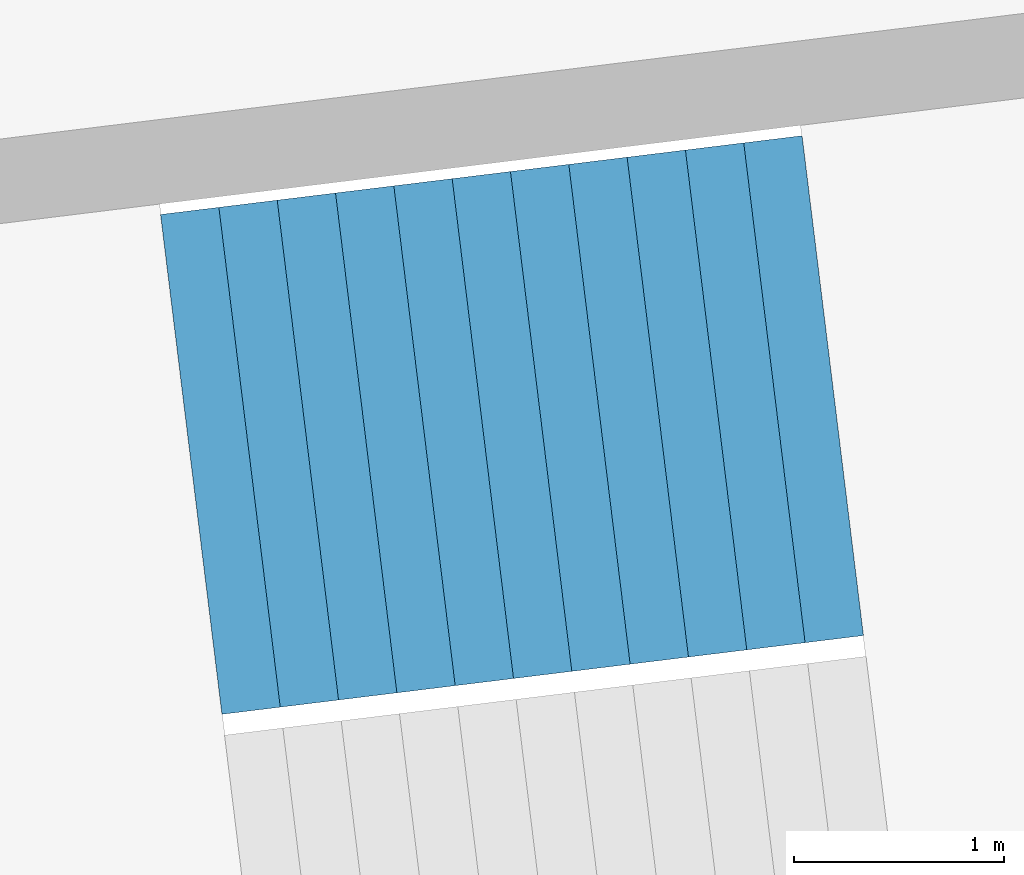
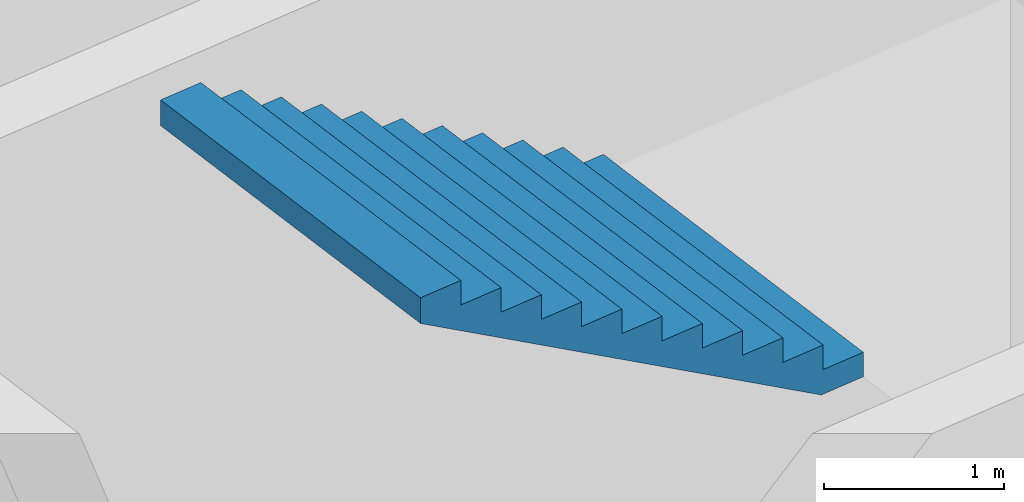
# One storey, part 61 of 74: 1 stair flight, 1 element without a shape of its own.
"""IFC4 building model written with IfcOpenShell, lengths in metres."""

from ifc_helpers import new_model, si_unit, direction, frame, origin, place, context, subcontext, project, spatial, triangles, material, type_object, element, aggregate, save


model = new_model("IFC4")

# Units and contexts
model_context = context("Model", 3, precision=1e-05, world=origin(), true_north=direction((0.0, 1.0)))
body_context = subcontext(model_context, "Body", "Model", "MODEL_VIEW")
ifc_project = project(units=[si_unit("LENGTHUNIT", "METRE"), si_unit("AREAUNIT", "SQUARE_METRE"), si_unit("VOLUMEUNIT", "CUBIC_METRE"), si_unit("PLANEANGLEUNIT", "RADIAN"), si_unit("MASSUNIT", "GRAM", prefix="KILO")], contexts=[model_context])

# Site, building, storey
site_placement = place(None, origin())
site = spatial("IfcSite", under=ifc_project, at=site_placement, CompositionType="ELEMENT")
building_placement = place(site_placement, origin())
building = spatial("IfcBuilding", under=site, at=building_placement, Name="Lantaw Convention Tower", CompositionType="ELEMENT")
storey_placement = place(building_placement, frame((0.0, 0.0, 6.5)))
storey = spatial("IfcBuildingStorey", under=building, at=storey_placement, Name="L01", CompositionType="ELEMENT", Elevation=6.5)

# Stair, stair flight
ifc_material = material(Name="Concrete C35/45", Category="concrete")
stair_type = type_object("IfcStairType", Name="Exit stair 2400 riser 166.67 in 4 flights", PredefinedType="HALF_TURN_STAIR", material=ifc_material)
stair_placement = place(storey_placement, origin())
stair = element("IfcStair", 1, at=stair_placement, inside=storey, type_object=stair_type, Name="Podium exit stair P1 L01", PredefinedType="HALF_TURN_STAIR")
stair_flight_type = type_object("IfcStairFlightType", Name="Stair flight 2400 riser 166.67", PredefinedType="STRAIGHT", material=ifc_material)
stair_flight_placement = place(storey_placement, frame((41.028564453125, 6.297119140625, 6.0), z_axis=(0.0, 0.0, 1.0), x_axis=(-0.992546151641, -0.121869343405, 0.0)))
stair_flight = element("IfcStairFlight", 2, at=stair_flight_placement, type_object=stair_flight_type, Name="P1 flight 4", NumberOfRisers=12, NumberOfTreads=11, PredefinedType="STRAIGHT", RiserHeight=0.166666667, TreadLength=0.28, context=body_context, shape_type="Tessellation", body=[
    triangles([(0.0, 1.199951171875, 0.0), (0.0, 1.199951171875, 0.166666667), (0.28, 1.199951171875, 0.0), (0.28, 1.199951171875, 0.166666667), (0.28, 1.199951171875, 0.333333334), (0.29307345806906726, 1.199951171875, 0.0), (0.29307345806906726, 1.199951171875, 0.333333334), (0.56, 1.199951171875, 0.15888484670522965), (0.56, 1.199951171875, 0.333333334), (0.56, 1.199951171875, 0.500000001), (0.8400000000000001, 1.199951171875, 0.3255515137052296), (0.8400000000000001, 1.199951171875, 0.500000001), (0.8400000000000001, 1.199951171875, 0.666666668), (1.12, 1.199951171875, 0.4922181807052296), (1.12, 1.199951171875, 0.666666668), (1.12, 1.199951171875, 0.833333335), (1.4000000000000001, 1.199951171875, 0.6588848477052296), (1.4000000000000001, 1.199951171875, 0.833333335), (1.4000000000000001, 1.199951171875, 1.000000002), (1.6800000000000002, 1.199951171875, 0.8255515147052296), (1.6800000000000002, 1.199951171875, 1.000000002), (1.6800000000000002, 1.199951171875, 1.166666669), (1.9600000000000002, 1.199951171875, 0.9922181817052296), (1.9600000000000002, 1.199951171875, 1.166666669), (1.9600000000000002, 1.199951171875, 1.333333336), (2.24, 1.199951171875, 1.1588848487052295), (2.24, 1.199951171875, 1.333333336), (2.24, 1.199951171875, 1.5000000029999998), (2.5200000000000005, 1.199951171875, 1.3255515157052296), (2.5200000000000005, 1.199951171875, 1.5000000029999998), (2.5200000000000005, 1.199951171875, 1.66666667), (2.8000000000000003, 1.199951171875, 1.4922181827052294), (2.8000000000000003, 1.199951171875, 1.66666667), (2.8000000000000003, 1.199951171875, 1.833333337), (3.08, 1.199951171875, 1.6588848497052293), (3.08, 1.199951171875, 1.833333337), (0.0, -1.199951171875, 0.0), (0.0, -1.199951171875, 0.166666667), (0.28, -1.199951171875, 0.0), (0.28, -1.199951171875, 0.166666667), (0.28, -1.199951171875, 0.333333334), (0.29307345806906726, -1.199951171875, 0.0), (0.29307345806906726, -1.199951171875, 0.333333334), (0.56, -1.199951171875, 0.15888484670522965), (0.56, -1.199951171875, 0.333333334), (0.56, -1.199951171875, 0.500000001), (0.8400000000000001, -1.199951171875, 0.3255515137052296), (0.8400000000000001, -1.199951171875, 0.500000001), (0.8400000000000001, -1.199951171875, 0.666666668), (1.12, -1.199951171875, 0.4922181807052296), (1.12, -1.199951171875, 0.666666668), (1.12, -1.199951171875, 0.833333335), (1.4000000000000001, -1.199951171875, 0.6588848477052296), (1.4000000000000001, -1.199951171875, 0.833333335), (1.4000000000000001, -1.199951171875, 1.000000002), (1.6800000000000002, -1.199951171875, 0.8255515147052296), (1.6800000000000002, -1.199951171875, 1.000000002), (1.6800000000000002, -1.199951171875, 1.166666669), (1.9600000000000002, -1.199951171875, 0.9922181817052296), (1.9600000000000002, -1.199951171875, 1.166666669), (1.9600000000000002, -1.199951171875, 1.333333336), (2.24, -1.199951171875, 1.1588848487052295), (2.24, -1.199951171875, 1.333333336), (2.24, -1.199951171875, 1.5000000029999998), (2.5200000000000005, -1.199951171875, 1.3255515157052296), (2.5200000000000005, -1.199951171875, 1.5000000029999998), (2.5200000000000005, -1.199951171875, 1.66666667), (2.8000000000000003, -1.199951171875, 1.4922181827052294), (2.8000000000000003, -1.199951171875, 1.66666667), (2.8000000000000003, -1.199951171875, 1.833333337), (3.08, -1.199951171875, 1.6588848497052293), (3.08, -1.199951171875, 1.833333337), (0.0, 0.239990234375, 0.166666667), (0.0, 0.239990234375, 0.0), (0.0, 0.1199951171875, 0.166666667), (0.0, 0.1199951171875, 0.0), (0.0, 0.0, 0.166666667), (0.0, 0.0, 0.0), (0.0, -0.1199951171875, 0.166666667), (0.0, -0.1199951171875, 0.0), (0.0, -0.239990234375, 0.166666667), (0.0, -0.239990234375, 0.0), (0.28, 0.239990234375, 0.333333334), (0.28, 0.239990234375, 0.166666667), (0.28, 0.1199951171875, 0.333333334), (0.28, 0.1199951171875, 0.166666667), (0.28, 0.0, 0.333333334), (0.28, 0.0, 0.166666667), (0.28, -0.1199951171875, 0.333333334), (0.28, -0.1199951171875, 0.166666667), (0.28, -0.239990234375, 0.333333334), (0.28, -0.239990234375, 0.166666667), (0.56, 0.239990234375, 0.500000001), (0.56, 0.239990234375, 0.333333334), (0.56, 0.1199951171875, 0.500000001), (0.56, 0.1199951171875, 0.333333334), (0.56, 0.0, 0.500000001), (0.56, 0.0, 0.333333334), (0.56, -0.1199951171875, 0.500000001), (0.56, -0.1199951171875, 0.333333334), (0.56, -0.239990234375, 0.500000001), (0.56, -0.239990234375, 0.333333334), (0.8400000000000001, 0.239990234375, 0.666666668), (0.8400000000000001, 0.239990234375, 0.500000001), (0.8400000000000001, 0.1199951171875, 0.666666668), (0.8400000000000001, 0.1199951171875, 0.500000001), (0.8400000000000001, 0.0, 0.666666668), (0.8400000000000001, 0.0, 0.500000001), (0.8400000000000001, -0.1199951171875, 0.666666668), (0.8400000000000001, -0.1199951171875, 0.500000001), (0.8400000000000001, -0.239990234375, 0.666666668), (0.8400000000000001, -0.239990234375, 0.500000001), (1.12, 0.239990234375, 0.833333335), (1.12, 0.239990234375, 0.666666668), (1.12, 0.1199951171875, 0.833333335), (1.12, 0.1199951171875, 0.666666668), (1.12, 0.0, 0.833333335), (1.12, 0.0, 0.666666668), (1.12, -0.1199951171875, 0.833333335), (1.12, -0.1199951171875, 0.666666668), (1.12, -0.239990234375, 0.833333335), (1.12, -0.239990234375, 0.666666668), (1.4000000000000001, 0.239990234375, 1.000000002), (1.4000000000000001, 0.239990234375, 0.833333335), (1.4000000000000001, 0.1199951171875, 1.000000002), (1.4000000000000001, 0.1199951171875, 0.833333335), (1.4000000000000001, 0.0, 1.000000002), (1.4000000000000001, 0.0, 0.833333335), (1.4000000000000001, -0.1199951171875, 1.000000002), (1.4000000000000001, -0.1199951171875, 0.833333335), (1.4000000000000001, -0.239990234375, 1.000000002), (1.4000000000000001, -0.239990234375, 0.833333335), (1.6800000000000002, 0.239990234375, 1.166666669), (1.6800000000000002, 0.239990234375, 1.000000002), (1.6800000000000002, 0.1199951171875, 1.166666669), (1.6800000000000002, 0.1199951171875, 1.000000002), (1.6800000000000002, 0.0, 1.166666669), (1.6800000000000002, 0.0, 1.000000002), (1.6800000000000002, -0.1199951171875, 1.166666669), (1.6800000000000002, -0.1199951171875, 1.000000002), (1.6800000000000002, -0.239990234375, 1.166666669), (1.6800000000000002, -0.239990234375, 1.000000002), (1.9600000000000002, 0.239990234375, 1.333333336), (1.9600000000000002, 0.239990234375, 1.166666669), (1.9600000000000002, 0.1199951171875, 1.333333336), (1.9600000000000002, 0.1199951171875, 1.166666669), (1.9600000000000002, 0.0, 1.333333336), (1.9600000000000002, 0.0, 1.166666669), (1.9600000000000002, -0.1199951171875, 1.333333336), (1.9600000000000002, -0.1199951171875, 1.166666669), (1.9600000000000002, -0.239990234375, 1.333333336), (1.9600000000000002, -0.239990234375, 1.166666669), (2.24, 0.239990234375, 1.5000000029999998), (2.24, 0.239990234375, 1.333333336), (2.24, 0.1199951171875, 1.5000000029999998), (2.24, 0.1199951171875, 1.333333336), (2.24, 0.0, 1.5000000029999998), (2.24, 0.0, 1.333333336), (2.24, -0.1199951171875, 1.5000000029999998), (2.24, -0.1199951171875, 1.333333336), (2.24, -0.239990234375, 1.5000000029999998), (2.24, -0.239990234375, 1.333333336), (2.5200000000000005, 0.239990234375, 1.66666667), (2.5200000000000005, 0.239990234375, 1.5000000029999998), (2.5200000000000005, 0.1199951171875, 1.66666667), (2.5200000000000005, 0.1199951171875, 1.5000000029999998), (2.5200000000000005, 0.0, 1.66666667), (2.5200000000000005, 0.0, 1.5000000029999998), (2.5200000000000005, -0.1199951171875, 1.66666667), (2.5200000000000005, -0.1199951171875, 1.5000000029999998), (2.5200000000000005, -0.239990234375, 1.66666667), (2.5200000000000005, -0.239990234375, 1.5000000029999998), (2.8000000000000003, 0.239990234375, 1.833333337), (2.8000000000000003, 0.239990234375, 1.66666667), (2.8000000000000003, 0.1199951171875, 1.833333337), (2.8000000000000003, 0.1199951171875, 1.66666667), (2.8000000000000003, 0.0, 1.833333337), (2.8000000000000003, 0.0, 1.66666667), (2.8000000000000003, -0.1199951171875, 1.833333337), (2.8000000000000003, -0.1199951171875, 1.66666667), (2.8000000000000003, -0.239990234375, 1.833333337), (2.8000000000000003, -0.239990234375, 1.66666667), (0.29307345806906726, 0.239990234375, 0.333333334), (0.29307345806906726, 0.1199951171875, 0.333333334), (0.29307345806906726, 0.0, 0.333333334), (0.29307345806906726, -0.1199951171875, 0.333333334), (0.29307345806906726, -0.239990234375, 0.333333334), (3.08, 0.239990234375, 1.833333337), (3.08, 0.1199951171875, 1.833333337), (3.08, 0.0, 1.833333337), (3.08, -0.1199951171875, 1.833333337), (3.08, -0.239990234375, 1.833333337), (3.08, 0.239990234375, 1.6588848497052293), (3.08, 0.1199951171875, 1.6588848497052293), (3.08, 0.0, 1.6588848497052293), (3.08, -0.1199951171875, 1.6588848497052293), (3.08, -0.239990234375, 1.6588848497052293), (2.8000000000000003, 0.239990234375, 1.4922181827052294), (2.8000000000000003, 0.1199951171875, 1.4922181827052294), (2.8000000000000003, 0.0, 1.4922181827052294), (2.8000000000000003, -0.1199951171875, 1.4922181827052294), (2.8000000000000003, -0.239990234375, 1.4922181827052294), (2.5200000000000005, 0.239990234375, 1.3255515157052296), (2.5200000000000005, 0.1199951171875, 1.3255515157052296), (2.5200000000000005, 0.0, 1.3255515157052296), (2.5200000000000005, -0.1199951171875, 1.3255515157052296), (2.5200000000000005, -0.239990234375, 1.3255515157052296), (2.24, 0.239990234375, 1.1588848487052295), (2.24, 0.1199951171875, 1.1588848487052295), (2.24, 0.0, 1.1588848487052295), (2.24, -0.1199951171875, 1.1588848487052295), (2.24, -0.239990234375, 1.1588848487052295), (1.9600000000000002, 0.239990234375, 0.9922181817052296), (1.9600000000000002, 0.1199951171875, 0.9922181817052296), (1.9600000000000002, 0.0, 0.9922181817052296), (1.9600000000000002, -0.1199951171875, 0.9922181817052296), (1.9600000000000002, -0.239990234375, 0.9922181817052296), (1.6800000000000002, 0.239990234375, 0.8255515147052296), (1.6800000000000002, 0.1199951171875, 0.8255515147052296), (1.6800000000000002, 0.0, 0.8255515147052296), (1.6800000000000002, -0.1199951171875, 0.8255515147052296), (1.6800000000000002, -0.239990234375, 0.8255515147052296), (1.4000000000000001, 0.239990234375, 0.6588848477052296), (1.4000000000000001, 0.1199951171875, 0.6588848477052296), (1.4000000000000001, 0.0, 0.6588848477052296), (1.4000000000000001, -0.1199951171875, 0.6588848477052296), (1.4000000000000001, -0.239990234375, 0.6588848477052296), (1.12, 0.239990234375, 0.4922181807052296), (1.12, 0.1199951171875, 0.4922181807052296), (1.12, 0.0, 0.4922181807052296), (1.12, -0.1199951171875, 0.4922181807052296), (1.12, -0.239990234375, 0.4922181807052296), (0.8400000000000001, 0.239990234375, 0.3255515137052296), (0.8400000000000001, 0.1199951171875, 0.3255515137052296), (0.8400000000000001, 0.0, 0.3255515137052296), (0.8400000000000001, -0.1199951171875, 0.3255515137052296), (0.8400000000000001, -0.239990234375, 0.3255515137052296), (0.56, 0.239990234375, 0.15888484670522965), (0.56, 0.1199951171875, 0.15888484670522965), (0.56, 0.0, 0.15888484670522965), (0.56, -0.1199951171875, 0.15888484670522965), (0.56, -0.239990234375, 0.15888484670522965), (0.29307345806906726, 0.239990234375, 0.0), (0.29307345806906726, 0.1199951171875, 0.0), (0.29307345806906726, 0.0, 0.0), (0.29307345806906726, -0.1199951171875, 0.0), (0.29307345806906726, -0.239990234375, 0.0), (0.28, 0.239990234375, 0.0), (0.28, 0.1199951171875, 0.0), (0.28, 0.0, 0.0), (0.28, -0.1199951171875, 0.0), (0.28, -0.239990234375, 0.0)], [[1, 4, 3], [1, 2, 4], [3, 4, 6], [4, 7, 6], [4, 5, 7], [6, 9, 8], [6, 7, 9], [8, 9, 11], [9, 12, 11], [9, 10, 12], [11, 12, 14], [12, 15, 14], [12, 13, 15], [14, 15, 17], [15, 18, 17], [15, 16, 18], [17, 18, 20], [18, 21, 20], [18, 19, 21], [20, 21, 23], [21, 24, 23], [21, 22, 24], [23, 24, 26], [24, 27, 26], [24, 25, 27], [26, 27, 29], [27, 30, 29], [27, 28, 30], [29, 30, 32], [30, 33, 32], [30, 31, 33], [32, 33, 35], [33, 36, 35], [33, 34, 36], [37, 39, 40], [37, 40, 38], [39, 42, 40], [40, 42, 43], [40, 43, 41], [42, 44, 45], [42, 45, 43], [44, 47, 45], [45, 47, 48], [45, 48, 46], [47, 50, 48], [48, 50, 51], [48, 51, 49], [50, 53, 51], [51, 53, 54], [51, 54, 52], [53, 56, 54], [54, 56, 57], [54, 57, 55], [56, 59, 57], [57, 59, 60], [57, 60, 58], [59, 62, 60], [60, 62, 63], [60, 63, 61], [62, 65, 63], [63, 65, 66], [63, 66, 64], [65, 68, 66], [66, 68, 69], [66, 69, 67], [68, 71, 69], [69, 71, 72], [69, 72, 70], [1, 73, 2], [1, 74, 73], [74, 75, 73], [74, 76, 75], [76, 77, 75], [76, 78, 77], [78, 79, 77], [78, 80, 79], [80, 81, 79], [80, 82, 81], [82, 38, 81], [82, 37, 38], [4, 83, 5], [4, 84, 83], [84, 85, 83], [84, 86, 85], [86, 87, 85], [86, 88, 87], [88, 89, 87], [88, 90, 89], [90, 91, 89], [90, 92, 91], [92, 41, 91], [92, 40, 41], [9, 93, 10], [9, 94, 93], [94, 95, 93], [94, 96, 95], [96, 97, 95], [96, 98, 97], [98, 99, 97], [98, 100, 99], [100, 101, 99], [100, 102, 101], [102, 46, 101], [102, 45, 46], [12, 103, 13], [12, 104, 103], [104, 105, 103], [104, 106, 105], [106, 107, 105], [106, 108, 107], [108, 109, 107], [108, 110, 109], [110, 111, 109], [110, 112, 111], [112, 49, 111], [112, 48, 49], [15, 113, 16], [15, 114, 113], [114, 115, 113], [114, 116, 115], [116, 117, 115], [116, 118, 117], [118, 119, 117], [118, 120, 119], [120, 121, 119], [120, 122, 121], [122, 52, 121], [122, 51, 52], [18, 123, 19], [18, 124, 123], [124, 125, 123], [124, 126, 125], [126, 127, 125], [126, 128, 127], [128, 129, 127], [128, 130, 129], [130, 131, 129], [130, 132, 131], [132, 55, 131], [132, 54, 55], [21, 133, 22], [21, 134, 133], [134, 135, 133], [134, 136, 135], [136, 137, 135], [136, 138, 137], [138, 139, 137], [138, 140, 139], [140, 141, 139], [140, 142, 141], [142, 58, 141], [142, 57, 58], [24, 143, 25], [24, 144, 143], [144, 145, 143], [144, 146, 145], [146, 147, 145], [146, 148, 147], [148, 149, 147], [148, 150, 149], [150, 151, 149], [150, 152, 151], [152, 61, 151], [152, 60, 61], [27, 153, 28], [27, 154, 153], [154, 155, 153], [154, 156, 155], [156, 157, 155], [156, 158, 157], [158, 159, 157], [158, 160, 159], [160, 161, 159], [160, 162, 161], [162, 64, 161], [162, 63, 64], [30, 163, 31], [30, 164, 163], [164, 165, 163], [164, 166, 165], [166, 167, 165], [166, 168, 167], [168, 169, 167], [168, 170, 169], [170, 171, 169], [170, 172, 171], [172, 67, 171], [172, 66, 67], [33, 173, 34], [33, 174, 173], [174, 175, 173], [174, 176, 175], [176, 177, 175], [176, 178, 177], [178, 179, 177], [178, 180, 179], [180, 181, 179], [180, 182, 181], [182, 70, 181], [182, 69, 70], [2, 84, 4], [2, 73, 84], [73, 86, 84], [73, 75, 86], [75, 88, 86], [75, 77, 88], [77, 90, 88], [77, 79, 90], [79, 92, 90], [79, 81, 92], [81, 40, 92], [81, 38, 40], [5, 183, 7], [5, 83, 183], [83, 184, 183], [83, 85, 184], [85, 185, 184], [85, 87, 185], [87, 186, 185], [87, 89, 186], [89, 187, 186], [89, 91, 187], [91, 43, 187], [91, 41, 43], [7, 94, 9], [7, 183, 94], [183, 96, 94], [183, 184, 96], [184, 98, 96], [184, 185, 98], [185, 100, 98], [185, 186, 100], [186, 102, 100], [186, 187, 102], [187, 45, 102], [187, 43, 45], [10, 104, 12], [10, 93, 104], [93, 106, 104], [93, 95, 106], [95, 108, 106], [95, 97, 108], [97, 110, 108], [97, 99, 110], [99, 112, 110], [99, 101, 112], [101, 48, 112], [101, 46, 48], [13, 114, 15], [13, 103, 114], [103, 116, 114], [103, 105, 116], [105, 118, 116], [105, 107, 118], [107, 120, 118], [107, 109, 120], [109, 122, 120], [109, 111, 122], [111, 51, 122], [111, 49, 51], [16, 124, 18], [16, 113, 124], [113, 126, 124], [113, 115, 126], [115, 128, 126], [115, 117, 128], [117, 130, 128], [117, 119, 130], [119, 132, 130], [119, 121, 132], [121, 54, 132], [121, 52, 54], [19, 134, 21], [19, 123, 134], [123, 136, 134], [123, 125, 136], [125, 138, 136], [125, 127, 138], [127, 140, 138], [127, 129, 140], [129, 142, 140], [129, 131, 142], [131, 57, 142], [131, 55, 57], [22, 144, 24], [22, 133, 144], [133, 146, 144], [133, 135, 146], [135, 148, 146], [135, 137, 148], [137, 150, 148], [137, 139, 150], [139, 152, 150], [139, 141, 152], [141, 60, 152], [141, 58, 60], [25, 154, 27], [25, 143, 154], [143, 156, 154], [143, 145, 156], [145, 158, 156], [145, 147, 158], [147, 160, 158], [147, 149, 160], [149, 162, 160], [149, 151, 162], [151, 63, 162], [151, 61, 63], [28, 164, 30], [28, 153, 164], [153, 166, 164], [153, 155, 166], [155, 168, 166], [155, 157, 168], [157, 170, 168], [157, 159, 170], [159, 172, 170], [159, 161, 172], [161, 66, 172], [161, 64, 66], [31, 174, 33], [31, 163, 174], [163, 176, 174], [163, 165, 176], [165, 178, 176], [165, 167, 178], [167, 180, 178], [167, 169, 180], [169, 182, 180], [169, 171, 182], [171, 69, 182], [171, 67, 69], [34, 188, 36], [34, 173, 188], [173, 189, 188], [173, 175, 189], [175, 190, 189], [175, 177, 190], [177, 191, 190], [177, 179, 191], [179, 192, 191], [179, 181, 192], [181, 72, 192], [181, 70, 72], [36, 193, 35], [36, 188, 193], [188, 194, 193], [188, 189, 194], [189, 195, 194], [189, 190, 195], [190, 196, 195], [190, 191, 196], [191, 197, 196], [191, 192, 197], [192, 71, 197], [192, 72, 71], [35, 198, 32], [35, 193, 198], [193, 199, 198], [193, 194, 199], [194, 200, 199], [194, 195, 200], [195, 201, 200], [195, 196, 201], [196, 202, 201], [196, 197, 202], [197, 68, 202], [197, 71, 68], [32, 203, 29], [32, 198, 203], [198, 204, 203], [198, 199, 204], [199, 205, 204], [199, 200, 205], [200, 206, 205], [200, 201, 206], [201, 207, 206], [201, 202, 207], [202, 65, 207], [202, 68, 65], [29, 208, 26], [29, 203, 208], [203, 209, 208], [203, 204, 209], [204, 210, 209], [204, 205, 210], [205, 211, 210], [205, 206, 211], [206, 212, 211], [206, 207, 212], [207, 62, 212], [207, 65, 62], [26, 213, 23], [26, 208, 213], [208, 214, 213], [208, 209, 214], [209, 215, 214], [209, 210, 215], [210, 216, 215], [210, 211, 216], [211, 217, 216], [211, 212, 217], [212, 59, 217], [212, 62, 59], [23, 218, 20], [23, 213, 218], [213, 219, 218], [213, 214, 219], [214, 220, 219], [214, 215, 220], [215, 221, 220], [215, 216, 221], [216, 222, 221], [216, 217, 222], [217, 56, 222], [217, 59, 56], [20, 223, 17], [20, 218, 223], [218, 224, 223], [218, 219, 224], [219, 225, 224], [219, 220, 225], [220, 226, 225], [220, 221, 226], [221, 227, 226], [221, 222, 227], [222, 53, 227], [222, 56, 53], [17, 228, 14], [17, 223, 228], [223, 229, 228], [223, 224, 229], [224, 230, 229], [224, 225, 230], [225, 231, 230], [225, 226, 231], [226, 232, 231], [226, 227, 232], [227, 50, 232], [227, 53, 50], [14, 233, 11], [14, 228, 233], [228, 234, 233], [228, 229, 234], [229, 235, 234], [229, 230, 235], [230, 236, 235], [230, 231, 236], [231, 237, 236], [231, 232, 237], [232, 47, 237], [232, 50, 47], [11, 238, 8], [11, 233, 238], [233, 239, 238], [233, 234, 239], [234, 240, 239], [234, 235, 240], [235, 241, 240], [235, 236, 241], [236, 242, 241], [236, 237, 242], [237, 44, 242], [237, 47, 44], [8, 243, 6], [8, 238, 243], [238, 244, 243], [238, 239, 244], [239, 245, 244], [239, 240, 245], [240, 246, 245], [240, 241, 246], [241, 247, 246], [241, 242, 247], [242, 42, 247], [242, 44, 42], [6, 248, 3], [6, 243, 248], [243, 249, 248], [243, 244, 249], [244, 250, 249], [244, 245, 250], [245, 251, 250], [245, 246, 251], [246, 252, 251], [246, 247, 252], [247, 39, 252], [247, 42, 39], [3, 74, 1], [3, 248, 74], [248, 76, 74], [248, 249, 76], [249, 78, 76], [249, 250, 78], [250, 80, 78], [250, 251, 80], [251, 82, 80], [251, 252, 82], [252, 37, 82], [252, 39, 37]], closed=True),
])
aggregate(stair, [stair_flight])

save(model, "model.ifc")
